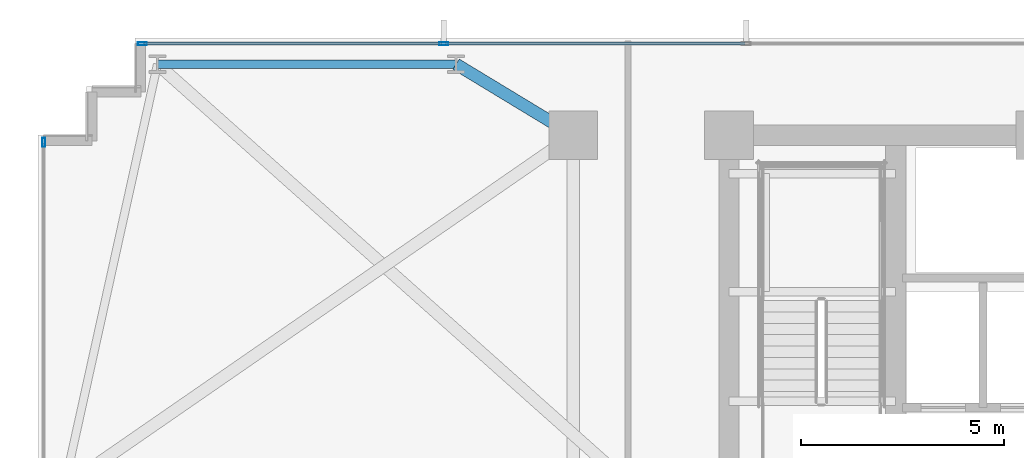
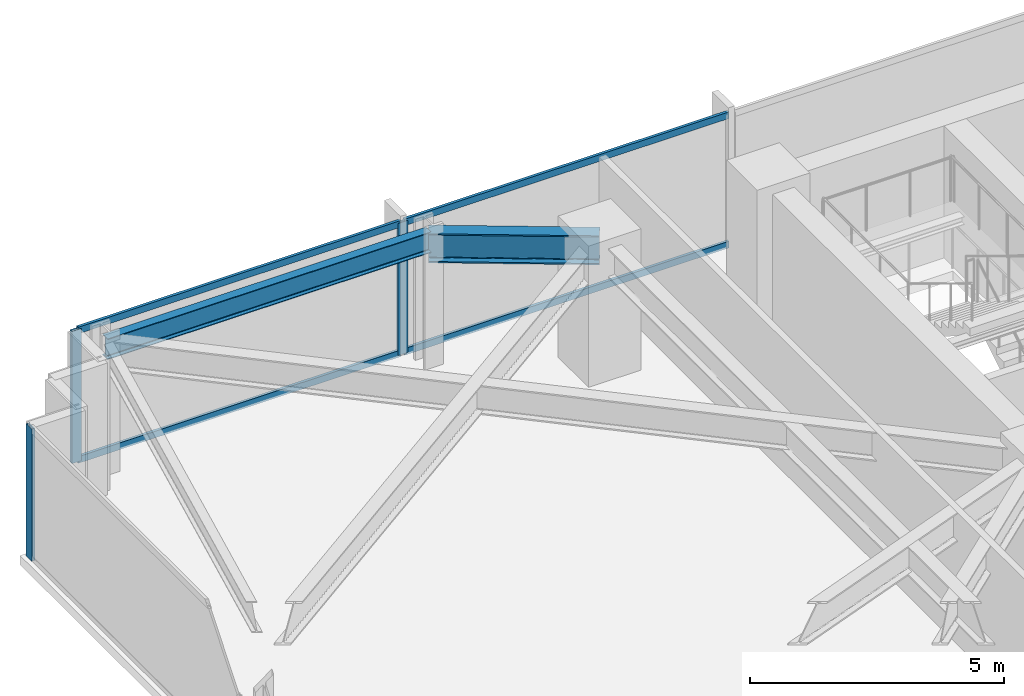
# One storey, part 17 of 33: 7 members, 2 beams, 2 elements without a shape of their own.
"""IFC4 building model written with IfcOpenShell, lengths in metres."""

from ifc_helpers import new_model, si_unit, direction, frame, origin, origin_2d, place, context, subcontext, project, spatial, hollow_rectangle, i_section, extrude, material, material_profile, profile_set, type_object, element, aggregate, save


model = new_model("IFC4")

# Units and contexts
model_context = context("Model", 3, precision=1e-05, world=origin(), true_north=direction((0.0, 1.0)))
body_context = subcontext(model_context, "Body", "Model", "MODEL_VIEW")
ifc_project = project(units=[si_unit("LENGTHUNIT", "METRE"), si_unit("AREAUNIT", "SQUARE_METRE"), si_unit("VOLUMEUNIT", "CUBIC_METRE"), si_unit("PLANEANGLEUNIT", "RADIAN"), si_unit("MASSUNIT", "GRAM", prefix="KILO")], contexts=[model_context])

# Site, building, storey
site_placement = place(None, origin())
site = spatial("IfcSite", under=ifc_project, at=site_placement, CompositionType="ELEMENT")
building_placement = place(site_placement, origin())
building = spatial("IfcBuilding", under=site, at=building_placement, Name="Yelkora Congress Tower", CompositionType="ELEMENT")
storey_placement = place(building_placement, frame((0.0, 0.0, 47.39990234375)))
storey = spatial("IfcBuildingStorey", under=building, at=storey_placement, Name="L11", CompositionType="ELEMENT", Elevation=47.39990234375)

# Beams
ifc_material_1 = material(Name="Steel S355J2", Category="steel")
ifc_material_profile_1 = material_profile(ifc_material_1, i_section(OverallWidth=0.300048828125, OverallDepth=0.699951171875, WebThickness=0.01708984375, FlangeThickness=0.031982421875, FilletRadius=0.027099609375, at=origin_2d()), Name="HEB 700")
ifc_profile_set_1 = profile_set([ifc_material_profile_1], Name="Steel S355J2")
beam_type_1 = type_object("IfcBeamType", Name="BM-GIRD-HEB700", PredefinedType="BEAM", material=ifc_profile_set_1)
beam_1_placement = place(storey_placement, frame((16.3125, 47.949951171875, 2.830078125), z_axis=(0.855193946581, -0.518308126244, 0.0), x_axis=(0.518308126244, 0.855193946581, 0.0)))
element("IfcBeam", 1, at=beam_1_placement, inside=storey, type_object=beam_type_1, Name="L11 Primary Frame Girder N02", PredefinedType="BEAM", context=body_context, shape_type="SweptSolid", body=[
    extrude(i_section(OverallWidth=0.300048828125, OverallDepth=0.699951171875, WebThickness=0.01708984375, FlangeThickness=0.031982421875, FilletRadius=0.027099609375, at=origin_2d()), origin(), (0.0, 0.0, 1.0), 3.37646484375),
])
ifc_material_profile_2 = material_profile(ifc_material_1, i_section(OverallWidth=0.199951171875, OverallDepth=0.5, WebThickness=0.01025390625, FlangeThickness=0.01611328125, FilletRadius=0.02099609375, at=origin_2d()), Name="IPE 500")
ifc_profile_set_2 = profile_set([ifc_material_profile_2], Name="Steel S355J2")
beam_type_2 = type_object("IfcBeamType", Name="BM-SPAN-IPE500", PredefinedType="SPANDREL", material=ifc_profile_set_2)
beam_2_placement = place(storey_placement, frame((16.3125, 47.949951171875, 2.93017578125), z_axis=(-1.0, 0.0, 0.0), x_axis=(0.0, -1.0, 0.0)))
element("IfcBeam", 2, at=beam_2_placement, inside=storey, type_object=beam_type_2, Name="L11 Perimeter Beam 16", PredefinedType="SPANDREL", context=body_context, shape_type="SweptSolid", body=[
    extrude(i_section(OverallWidth=0.199951171875, OverallDepth=0.5, WebThickness=0.01025390625, FlangeThickness=0.01611328125, FilletRadius=0.02099609375, at=origin_2d()), origin(), (0.0, 0.0, 1.0), 7.362548828125),
])

# Curtain wall, member
ifc_material_2 = material(Name="Anodised aluminium and insulated glass", Category="aluminium")
curtain_wall_type = type_object("IfcCurtainWallType", Name="CW-SYS-B1", PredefinedType="NOTDEFINED", material=ifc_material_2)
curtain_wall_1_placement = place(storey_placement, origin())
curtain_wall_1 = element("IfcCurtainWall", 3, at=curtain_wall_1_placement, inside=storey, type_object=curtain_wall_type, Name="L11 Unitised Curtain Wall 5", PredefinedType="NOTDEFINED")
ifc_material_3 = material(Name="Anodised aluminium 6063-T6", Category="aluminium")
ifc_material_profile_3 = material_profile(ifc_material_3, hollow_rectangle(XDim=0.074951171875, YDim=0.219970703125, WallThickness=0.0048828125, at=origin_2d()), Name="ALU 75x220x5")
ifc_profile_set_3 = profile_set([ifc_material_profile_3], Name="Anodised aluminium 6063-T6")
member_type_1 = type_object("IfcMemberType", Name="MEM-ML-B1", PredefinedType="MULLION", material=ifc_profile_set_3)
member_1_placement = place(storey_placement, frame((6.139892578125, 46.0224609375, 0.0), z_axis=(0.0, 0.0, 1.0), x_axis=(-1.0, 0.0, 0.0)))
member_1 = element("IfcMember", 4, at=member_1_placement, type_object=member_type_1, Name="CW-B1 mullion 5", PredefinedType="MULLION", context=body_context, shape_type="SweptSolid", body=[
    extrude(hollow_rectangle(XDim=0.074951171875, YDim=0.219970703125, WallThickness=0.0048828125, at=origin_2d()), origin(), (0.0, 0.0, 1.0), 3.18017578125),
])
aggregate(curtain_wall_1, [member_1])

# Curtain wall, members
curtain_wall_2_placement = place(storey_placement, origin())
curtain_wall_2 = element("IfcCurtainWall", 5, at=curtain_wall_2_placement, inside=storey, type_object=curtain_wall_type, Name="L11 Unitised Curtain Wall 10", PredefinedType="NOTDEFINED")
member_2_placement = place(storey_placement, frame((8.577392578125, 48.4599609375, 0.0), z_axis=(0.0, 0.0, 1.0), x_axis=(0.0, 1.0, 0.0)))
member_2 = element("IfcMember", 6, at=member_2_placement, type_object=member_type_1, Name="CW-B1 mullion 1", PredefinedType="MULLION", context=body_context, shape_type="SweptSolid", body=[
    extrude(hollow_rectangle(XDim=0.074951171875, YDim=0.219970703125, WallThickness=0.0048828125, at=origin_2d()), origin(), (0.0, 0.0, 1.0), 3.18017578125),
])
member_3_placement = place(storey_placement, frame((16.0048828125, 48.4599609375, 0.0), z_axis=(0.0, 0.0, 1.0), x_axis=(0.0, 1.0, 0.0)))
member_3 = element("IfcMember", 7, at=member_3_placement, type_object=member_type_1, Name="CW-B1 mullion 2", PredefinedType="MULLION", context=body_context, shape_type="SweptSolid", body=[
    extrude(hollow_rectangle(XDim=0.074951171875, YDim=0.219970703125, WallThickness=0.0048828125, at=origin_2d()), origin(), (0.0, 0.0, 1.0), 3.18017578125),
])
ifc_material_profile_4 = material_profile(ifc_material_3, hollow_rectangle(XDim=0.06494140625, YDim=0.159912109375, WallThickness=0.00390625, at=origin_2d()), Name="ALU 65x160x4")
ifc_profile_set_4 = profile_set([ifc_material_profile_4], Name="Anodised aluminium 6063-T6")
member_type_2 = type_object("IfcMemberType", Name="MEM-TR-B1", PredefinedType="USERDEFINED", material=ifc_profile_set_4)
member_4_placement = place(storey_placement, frame((8.614990234375, 48.4599609375, 0.03271484375), z_axis=(1.0, 0.0, 0.0), x_axis=(0.0, 1.0, 0.0)))
member_4 = element("IfcMember", 8, at=member_4_placement, type_object=member_type_2, Name="CW-B1 transom 1.1", ObjectType="TRANSOM", PredefinedType="USERDEFINED", context=body_context, shape_type="SweptSolid", body=[
    extrude(hollow_rectangle(XDim=0.06494140625, YDim=0.159912109375, WallThickness=0.00390625, at=origin_2d()), origin(), (0.0, 0.0, 1.0), 7.3525390625),
])
member_5_placement = place(storey_placement, frame((8.614990234375, 48.4599609375, 3.147705078125), z_axis=(1.0, 0.0, 0.0), x_axis=(0.0, 1.0, 0.0)))
member_5 = element("IfcMember", 9, at=member_5_placement, type_object=member_type_2, Name="CW-B1 transom 1.2", ObjectType="TRANSOM", PredefinedType="USERDEFINED", context=body_context, shape_type="SweptSolid", body=[
    extrude(hollow_rectangle(XDim=0.06494140625, YDim=0.159912109375, WallThickness=0.00390625, at=origin_2d()), origin(), (0.0, 0.0, 1.0), 7.3525390625),
])
member_6_placement = place(storey_placement, frame((16.04248046875, 48.4599609375, 0.03271484375), z_axis=(1.0, 0.0, 0.0), x_axis=(0.0, 1.0, 0.0)))
member_6 = element("IfcMember", 10, at=member_6_placement, type_object=member_type_2, Name="CW-B1 transom 2.1", ObjectType="TRANSOM", PredefinedType="USERDEFINED", context=body_context, shape_type="SweptSolid", body=[
    extrude(hollow_rectangle(XDim=0.06494140625, YDim=0.159912109375, WallThickness=0.00390625, at=origin_2d()), origin(), (0.0, 0.0, 1.0), 7.39013671875),
])
member_7_placement = place(storey_placement, frame((16.04248046875, 48.4599609375, 3.147705078125), z_axis=(1.0, 0.0, 0.0), x_axis=(0.0, 1.0, 0.0)))
member_7 = element("IfcMember", 11, at=member_7_placement, type_object=member_type_2, Name="CW-B1 transom 2.2", ObjectType="TRANSOM", PredefinedType="USERDEFINED", context=body_context, shape_type="SweptSolid", body=[
    extrude(hollow_rectangle(XDim=0.06494140625, YDim=0.159912109375, WallThickness=0.00390625, at=origin_2d()), origin(), (0.0, 0.0, 1.0), 7.39013671875),
])
aggregate(curtain_wall_2, [member_2, member_3, member_4, member_5, member_6, member_7])

save(model, "model.ifc")
